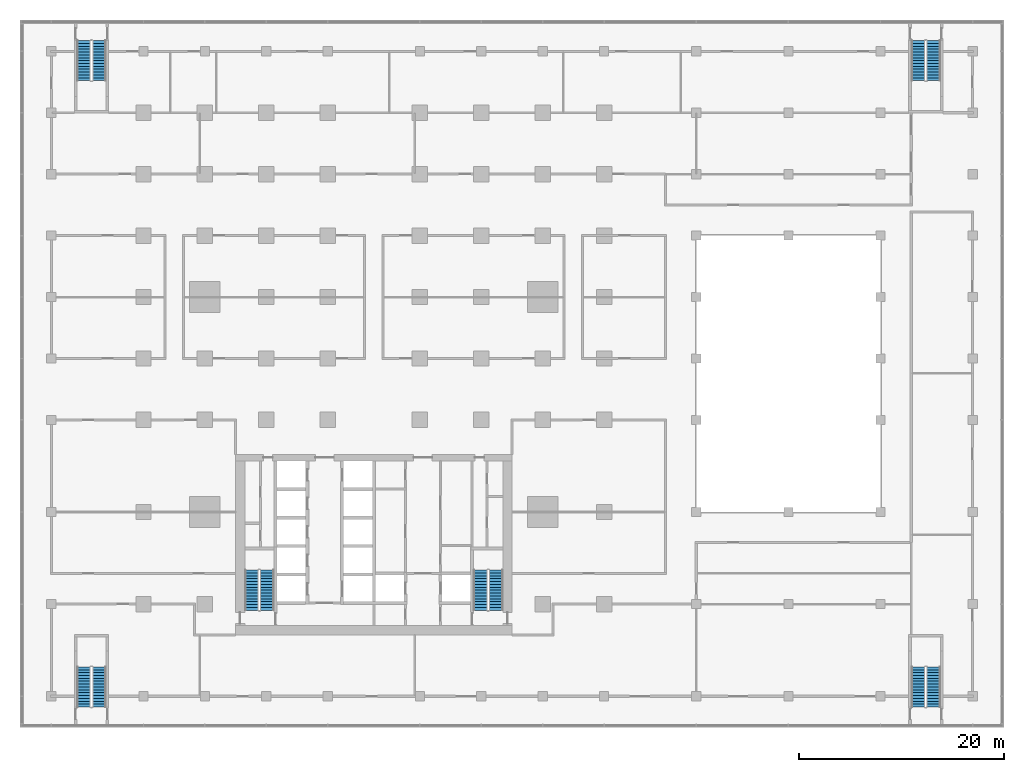
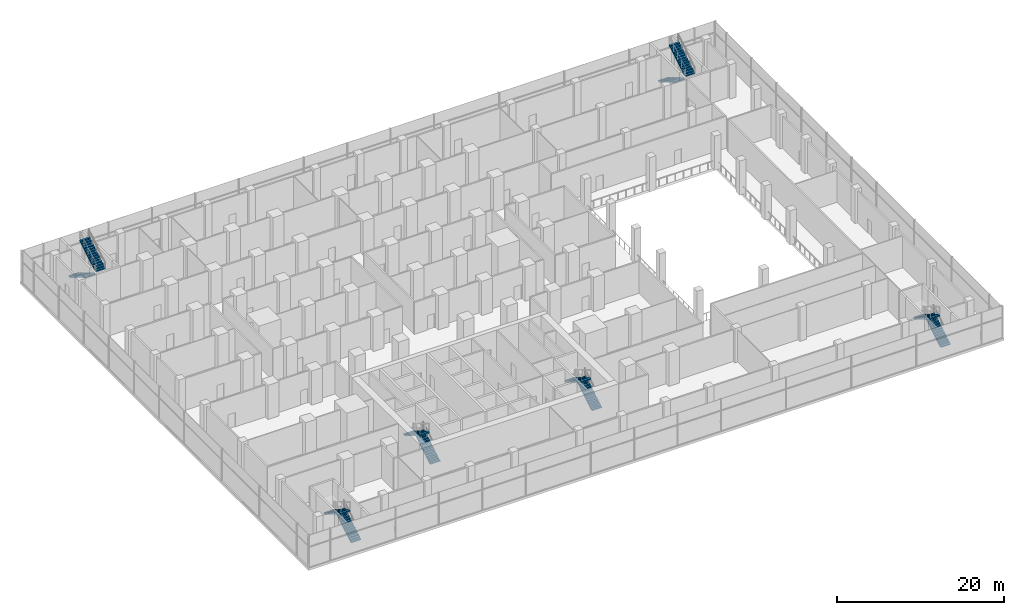
# One storey, part 20 of 22: 12 stair flights, 6 elements without a shape of their own.
"""IFC4 building model written with IfcOpenShell, lengths in metres."""

from ifc_helpers import new_model, si_unit, direction, frame, origin, place, context, subcontext, project, spatial, polyline, outline, extrude, material, type_object, element, aggregate, save


model = new_model("IFC4")

# Units and contexts
model_context = context("Model", 3, precision=1e-05, world=origin(), true_north=direction((0.0, 1.0)))
body_context = subcontext(model_context, "Body", "Model", "MODEL_VIEW")
ifc_project = project(units=[si_unit("LENGTHUNIT", "METRE"), si_unit("AREAUNIT", "SQUARE_METRE"), si_unit("VOLUMEUNIT", "CUBIC_METRE"), si_unit("PLANEANGLEUNIT", "RADIAN"), si_unit("MASSUNIT", "GRAM", prefix="KILO")], contexts=[model_context])

# Site, building, storey
site_placement = place(None, origin())
site = spatial("IfcSite", under=ifc_project, at=site_placement, CompositionType="ELEMENT")
building_placement = place(site_placement, origin())
building = spatial("IfcBuilding", under=site, at=building_placement, Name="Finial Court Residences", CompositionType="ELEMENT")
storey_placement = place(building_placement, frame((0.0, 0.0, 18.5)))
storey = spatial("IfcBuildingStorey", under=building, at=storey_placement, Name="L03", CompositionType="ELEMENT", Elevation=18.5)

# Stair, stair flights
ifc_material = material(Name="Concrete C50/60", Category="concrete")
stair_type = type_object("IfcStairType", Name="Exit stair 30 risers of 166.7 mm", PredefinedType="HALF_TURN_STAIR", material=ifc_material)
stair_1_placement = place(storey_placement, origin())
stair_1 = element("IfcStair", 1, at=stair_1_placement, inside=storey, type_object=stair_type, Name="L03 Exit stair ST-1", PredefinedType="HALF_TURN_STAIR")
stair_flight_type = type_object("IfcStairFlightType", Name="Exit stair flight", PredefinedType="STRAIGHT", material=ifc_material)
stair_flight_1_placement = place(storey_placement, frame((-10.425048828125, -23.10009765625, 0.0), z_axis=(0.0, 0.0, 1.0), x_axis=(0.0, 1.0, 0.0)))
stair_flight_1 = element("IfcStairFlight", 2, at=stair_flight_1_placement, type_object=stair_flight_type, Name="ST-1 flight 1", NumberOfRisers=15, NumberOfTreads=14, PredefinedType="STRAIGHT", RiserHeight=0.166666667, TreadLength=0.28, context=body_context, shape_type="SweptSolid", body=[
    extrude(outline(polyline([(0.0, 0.0), (0.0, 0.166748046875), (0.280029296875, 0.166748046875), (0.280029296875, 0.333251953125), (0.56005859375, 0.333251953125), (0.56005859375, 0.5), (0.840087890625, 0.5), (0.840087890625, 0.666748046875), (1.1201171875, 0.666748046875), (1.1201171875, 0.833251953125), (1.39990234375, 0.833251953125), (1.39990234375, 1.0), (1.679931640625, 1.0), (1.679931640625, 1.166748046875), (1.9599609375, 1.166748046875), (1.9599609375, 1.333251953125), (2.239990234375, 1.333251953125), (2.239990234375, 1.5), (2.52001953125, 1.5), (2.52001953125, 1.666748046875), (2.800048828125, 1.666748046875), (2.800048828125, 1.833251953125), (3.080078125, 1.833251953125), (3.080078125, 2.0), (3.360107421875, 2.0), (3.360107421875, 2.166748046875), (3.639892578125, 2.166748046875), (3.639892578125, 2.333251953125), (3.919921875, 2.333251953125), (3.919921875, 2.5), (3.919921875, 2.158935546875), (0.29296875, 0.0), (0.0, 0.0)])), frame((0.0, 0.675048828125, 0.0), z_axis=(0.0, -1.0, 0.0), x_axis=(1.0, 0.0, 0.0)), (0.0, 0.0, 1.0), 1.35009765625),
])
stair_flight_2_placement = place(storey_placement, frame((-11.925048828125, -19.179931640625, 2.5), z_axis=(0.0, 0.0, 1.0), x_axis=(0.0, -1.0, 0.0)))
stair_flight_2 = element("IfcStairFlight", 3, at=stair_flight_2_placement, type_object=stair_flight_type, Name="ST-1 flight 2", NumberOfRisers=15, NumberOfTreads=14, PredefinedType="STRAIGHT", RiserHeight=0.166666667, TreadLength=0.28, context=body_context, shape_type="SweptSolid", body=[
    extrude(outline(polyline([(0.0, 0.0), (0.0, 0.166748046875), (0.280029296875, 0.166748046875), (0.280029296875, 0.333251953125), (0.56005859375, 0.333251953125), (0.56005859375, 0.5), (0.840087890625, 0.5), (0.840087890625, 0.666748046875), (1.1201171875, 0.666748046875), (1.1201171875, 0.833251953125), (1.39990234375, 0.833251953125), (1.39990234375, 1.0), (1.679931640625, 1.0), (1.679931640625, 1.166748046875), (1.9599609375, 1.166748046875), (1.9599609375, 1.333251953125), (2.239990234375, 1.333251953125), (2.239990234375, 1.5), (2.52001953125, 1.5), (2.52001953125, 1.666748046875), (2.800048828125, 1.666748046875), (2.800048828125, 1.833251953125), (3.080078125, 1.833251953125), (3.080078125, 2.0), (3.360107421875, 2.0), (3.360107421875, 2.166748046875), (3.639892578125, 2.166748046875), (3.639892578125, 2.333251953125), (3.919921875, 2.333251953125), (3.919921875, 2.5), (3.919921875, 2.158935546875), (0.29296875, 0.0), (0.0, 0.0)])), frame((0.0, 0.675048828125, 0.0), z_axis=(0.0, -1.0, 0.0), x_axis=(1.0, 0.0, 0.0)), (0.0, 0.0, 1.0), 1.35009765625),
])
aggregate(stair_1, [stair_flight_1, stair_flight_2])

stair_2_placement = place(storey_placement, origin())
stair_2 = element("IfcStair", 4, at=stair_2_placement, inside=storey, type_object=stair_type, Name="L03 Exit stair ST-2", PredefinedType="HALF_TURN_STAIR")
stair_flight_3_placement = place(storey_placement, frame((11.925048828125, -23.10009765625, 0.0), z_axis=(0.0, 0.0, 1.0), x_axis=(0.0, 1.0, 0.0)))
stair_flight_3 = element("IfcStairFlight", 5, at=stair_flight_3_placement, type_object=stair_flight_type, Name="ST-2 flight 1", NumberOfRisers=15, NumberOfTreads=14, PredefinedType="STRAIGHT", RiserHeight=0.166666667, TreadLength=0.28, context=body_context, shape_type="SweptSolid", body=[
    extrude(outline(polyline([(0.0, 0.0), (0.0, 0.166748046875), (0.280029296875, 0.166748046875), (0.280029296875, 0.333251953125), (0.56005859375, 0.333251953125), (0.56005859375, 0.5), (0.840087890625, 0.5), (0.840087890625, 0.666748046875), (1.1201171875, 0.666748046875), (1.1201171875, 0.833251953125), (1.39990234375, 0.833251953125), (1.39990234375, 1.0), (1.679931640625, 1.0), (1.679931640625, 1.166748046875), (1.9599609375, 1.166748046875), (1.9599609375, 1.333251953125), (2.239990234375, 1.333251953125), (2.239990234375, 1.5), (2.52001953125, 1.5), (2.52001953125, 1.666748046875), (2.800048828125, 1.666748046875), (2.800048828125, 1.833251953125), (3.080078125, 1.833251953125), (3.080078125, 2.0), (3.360107421875, 2.0), (3.360107421875, 2.166748046875), (3.639892578125, 2.166748046875), (3.639892578125, 2.333251953125), (3.919921875, 2.333251953125), (3.919921875, 2.5), (3.919921875, 2.158935546875), (0.29296875, 0.0), (0.0, 0.0)])), frame((0.0, 0.675048828125, 0.0), z_axis=(0.0, -1.0, 0.0), x_axis=(1.0, 0.0, 0.0)), (0.0, 0.0, 1.0), 1.35009765625),
])
stair_flight_4_placement = place(storey_placement, frame((10.425048828125, -19.179931640625, 2.5), z_axis=(0.0, 0.0, 1.0), x_axis=(0.0, -1.0, 0.0)))
stair_flight_4 = element("IfcStairFlight", 6, at=stair_flight_4_placement, type_object=stair_flight_type, Name="ST-2 flight 2", NumberOfRisers=15, NumberOfTreads=14, PredefinedType="STRAIGHT", RiserHeight=0.166666667, TreadLength=0.28, context=body_context, shape_type="SweptSolid", body=[
    extrude(outline(polyline([(0.0, 0.0), (0.0, 0.166748046875), (0.280029296875, 0.166748046875), (0.280029296875, 0.333251953125), (0.56005859375, 0.333251953125), (0.56005859375, 0.5), (0.840087890625, 0.5), (0.840087890625, 0.666748046875), (1.1201171875, 0.666748046875), (1.1201171875, 0.833251953125), (1.39990234375, 0.833251953125), (1.39990234375, 1.0), (1.679931640625, 1.0), (1.679931640625, 1.166748046875), (1.9599609375, 1.166748046875), (1.9599609375, 1.333251953125), (2.239990234375, 1.333251953125), (2.239990234375, 1.5), (2.52001953125, 1.5), (2.52001953125, 1.666748046875), (2.800048828125, 1.666748046875), (2.800048828125, 1.833251953125), (3.080078125, 1.833251953125), (3.080078125, 2.0), (3.360107421875, 2.0), (3.360107421875, 2.166748046875), (3.639892578125, 2.166748046875), (3.639892578125, 2.333251953125), (3.919921875, 2.333251953125), (3.919921875, 2.5), (3.919921875, 2.158935546875), (0.29296875, 0.0), (0.0, 0.0)])), frame((0.0, 0.675048828125, 0.0), z_axis=(0.0, -1.0, 0.0), x_axis=(1.0, 0.0, 0.0)), (0.0, 0.0, 1.0), 1.35009765625),
])
aggregate(stair_2, [stair_flight_3, stair_flight_4])

stair_3_placement = place(storey_placement, origin())
stair_3 = element("IfcStair", 7, at=stair_3_placement, inside=storey, type_object=stair_type, Name="L03 Exit Stair 3", PredefinedType="HALF_TURN_STAIR")
stair_flight_5_placement = place(storey_placement, frame((54.675048828125, -32.550048828125, 0.0), z_axis=(0.0, 0.0, 1.0), x_axis=(0.0, 1.0, 0.0)))
stair_flight_5 = element("IfcStairFlight", 8, at=stair_flight_5_placement, type_object=stair_flight_type, Name="ST-3 flight 1", NumberOfRisers=15, NumberOfTreads=14, PredefinedType="STRAIGHT", RiserHeight=0.166666667, TreadLength=0.28, context=body_context, shape_type="SweptSolid", body=[
    extrude(outline(polyline([(0.0, 0.0), (0.0, 0.166748046875), (0.280029296875, 0.166748046875), (0.280029296875, 0.333251953125), (0.56005859375, 0.333251953125), (0.56005859375, 0.5), (0.840087890625, 0.5), (0.840087890625, 0.666748046875), (1.1201171875, 0.666748046875), (1.1201171875, 0.833251953125), (1.39990234375, 0.833251953125), (1.39990234375, 1.0), (1.679931640625, 1.0), (1.679931640625, 1.166748046875), (1.9599609375, 1.166748046875), (1.9599609375, 1.333251953125), (2.239990234375, 1.333251953125), (2.239990234375, 1.5), (2.52001953125, 1.5), (2.52001953125, 1.666748046875), (2.800048828125, 1.666748046875), (2.800048828125, 1.833251953125), (3.080078125, 1.833251953125), (3.080078125, 2.0), (3.360107421875, 2.0), (3.360107421875, 2.166748046875), (3.639892578125, 2.166748046875), (3.639892578125, 2.333251953125), (3.919921875, 2.333251953125), (3.919921875, 2.5), (3.919921875, 2.158935546875), (0.29296875, 0.0), (0.0, 0.0)])), frame((0.0, 0.675048828125, 0.0), z_axis=(0.0, -1.0, 0.0), x_axis=(1.0, 0.0, 0.0)), (0.0, 0.0, 1.0), 1.35009765625),
])
stair_flight_6_placement = place(storey_placement, frame((53.175048828125, -28.6298828125, 2.5), z_axis=(0.0, 0.0, 1.0), x_axis=(0.0, -1.0, 0.0)))
stair_flight_6 = element("IfcStairFlight", 9, at=stair_flight_6_placement, type_object=stair_flight_type, Name="ST-3 flight 2", NumberOfRisers=15, NumberOfTreads=14, PredefinedType="STRAIGHT", RiserHeight=0.166666667, TreadLength=0.28, context=body_context, shape_type="SweptSolid", body=[
    extrude(outline(polyline([(0.0, 0.0), (0.0, 0.166748046875), (0.280029296875, 0.166748046875), (0.280029296875, 0.333251953125), (0.56005859375, 0.333251953125), (0.56005859375, 0.5), (0.840087890625, 0.5), (0.840087890625, 0.666748046875), (1.1201171875, 0.666748046875), (1.1201171875, 0.833251953125), (1.39990234375, 0.833251953125), (1.39990234375, 1.0), (1.679931640625, 1.0), (1.679931640625, 1.166748046875), (1.9599609375, 1.166748046875), (1.9599609375, 1.333251953125), (2.239990234375, 1.333251953125), (2.239990234375, 1.5), (2.52001953125, 1.5), (2.52001953125, 1.666748046875), (2.800048828125, 1.666748046875), (2.800048828125, 1.833251953125), (3.080078125, 1.833251953125), (3.080078125, 2.0), (3.360107421875, 2.0), (3.360107421875, 2.166748046875), (3.639892578125, 2.166748046875), (3.639892578125, 2.333251953125), (3.919921875, 2.333251953125), (3.919921875, 2.5), (3.919921875, 2.158935546875), (0.29296875, 0.0), (0.0, 0.0)])), frame((0.0, 0.675048828125, 0.0), z_axis=(0.0, -1.0, 0.0), x_axis=(1.0, 0.0, 0.0)), (0.0, 0.0, 1.0), 1.35009765625),
])
aggregate(stair_3, [stair_flight_5, stair_flight_6])

stair_4_placement = place(storey_placement, origin())
stair_4 = element("IfcStair", 10, at=stair_4_placement, inside=storey, type_object=stair_type, Name="L03 Exit Stair 4", PredefinedType="HALF_TURN_STAIR")
stair_flight_7_placement = place(storey_placement, frame((-26.824951171875, -32.550048828125, 0.0), z_axis=(0.0, 0.0, 1.0), x_axis=(0.0, 1.0, 0.0)))
stair_flight_7 = element("IfcStairFlight", 11, at=stair_flight_7_placement, type_object=stair_flight_type, Name="ST-4 flight 1", NumberOfRisers=15, NumberOfTreads=14, PredefinedType="STRAIGHT", RiserHeight=0.166666667, TreadLength=0.28, context=body_context, shape_type="SweptSolid", body=[
    extrude(outline(polyline([(0.0, 0.0), (0.0, 0.166748046875), (0.280029296875, 0.166748046875), (0.280029296875, 0.333251953125), (0.56005859375, 0.333251953125), (0.56005859375, 0.5), (0.840087890625, 0.5), (0.840087890625, 0.666748046875), (1.1201171875, 0.666748046875), (1.1201171875, 0.833251953125), (1.39990234375, 0.833251953125), (1.39990234375, 1.0), (1.679931640625, 1.0), (1.679931640625, 1.166748046875), (1.9599609375, 1.166748046875), (1.9599609375, 1.333251953125), (2.239990234375, 1.333251953125), (2.239990234375, 1.5), (2.52001953125, 1.5), (2.52001953125, 1.666748046875), (2.800048828125, 1.666748046875), (2.800048828125, 1.833251953125), (3.080078125, 1.833251953125), (3.080078125, 2.0), (3.360107421875, 2.0), (3.360107421875, 2.166748046875), (3.639892578125, 2.166748046875), (3.639892578125, 2.333251953125), (3.919921875, 2.333251953125), (3.919921875, 2.5), (3.919921875, 2.158935546875), (0.29296875, 0.0), (0.0, 0.0)])), frame((0.0, 0.675048828125, 0.0), z_axis=(0.0, -1.0, 0.0), x_axis=(1.0, 0.0, 0.0)), (0.0, 0.0, 1.0), 1.35009765625),
])
stair_flight_8_placement = place(storey_placement, frame((-28.324951171875, -28.6298828125, 2.5), z_axis=(0.0, 0.0, 1.0), x_axis=(0.0, -1.0, 0.0)))
stair_flight_8 = element("IfcStairFlight", 12, at=stair_flight_8_placement, type_object=stair_flight_type, Name="ST-4 flight 2", NumberOfRisers=15, NumberOfTreads=14, PredefinedType="STRAIGHT", RiserHeight=0.166666667, TreadLength=0.28, context=body_context, shape_type="SweptSolid", body=[
    extrude(outline(polyline([(0.0, 0.0), (0.0, 0.166748046875), (0.280029296875, 0.166748046875), (0.280029296875, 0.333251953125), (0.56005859375, 0.333251953125), (0.56005859375, 0.5), (0.840087890625, 0.5), (0.840087890625, 0.666748046875), (1.1201171875, 0.666748046875), (1.1201171875, 0.833251953125), (1.39990234375, 0.833251953125), (1.39990234375, 1.0), (1.679931640625, 1.0), (1.679931640625, 1.166748046875), (1.9599609375, 1.166748046875), (1.9599609375, 1.333251953125), (2.239990234375, 1.333251953125), (2.239990234375, 1.5), (2.52001953125, 1.5), (2.52001953125, 1.666748046875), (2.800048828125, 1.666748046875), (2.800048828125, 1.833251953125), (3.080078125, 1.833251953125), (3.080078125, 2.0), (3.360107421875, 2.0), (3.360107421875, 2.166748046875), (3.639892578125, 2.166748046875), (3.639892578125, 2.333251953125), (3.919921875, 2.333251953125), (3.919921875, 2.5), (3.919921875, 2.158935546875), (0.29296875, 0.0), (0.0, 0.0)])), frame((0.0, 0.675048828125, 0.0), z_axis=(0.0, -1.0, 0.0), x_axis=(1.0, 0.0, 0.0)), (0.0, 0.0, 1.0), 1.35009765625),
])
aggregate(stair_4, [stair_flight_7, stair_flight_8])

stair_5_placement = place(storey_placement, origin())
stair_5 = element("IfcStair", 13, at=stair_5_placement, inside=storey, type_object=stair_type, Name="L03 Exit Stair 5", PredefinedType="HALF_TURN_STAIR")
stair_flight_9_placement = place(storey_placement, frame((53.175048828125, 32.550048828125, 0.0), z_axis=(0.0, 0.0, 1.0), x_axis=(0.0, -1.0, 0.0)))
stair_flight_9 = element("IfcStairFlight", 14, at=stair_flight_9_placement, type_object=stair_flight_type, Name="ST-5 flight 1", NumberOfRisers=15, NumberOfTreads=14, PredefinedType="STRAIGHT", RiserHeight=0.166666667, TreadLength=0.28, context=body_context, shape_type="SweptSolid", body=[
    extrude(outline(polyline([(0.0, 0.0), (0.0, 0.166748046875), (0.280029296875, 0.166748046875), (0.280029296875, 0.333251953125), (0.56005859375, 0.333251953125), (0.56005859375, 0.5), (0.840087890625, 0.5), (0.840087890625, 0.666748046875), (1.1201171875, 0.666748046875), (1.1201171875, 0.833251953125), (1.39990234375, 0.833251953125), (1.39990234375, 1.0), (1.679931640625, 1.0), (1.679931640625, 1.166748046875), (1.9599609375, 1.166748046875), (1.9599609375, 1.333251953125), (2.239990234375, 1.333251953125), (2.239990234375, 1.5), (2.52001953125, 1.5), (2.52001953125, 1.666748046875), (2.800048828125, 1.666748046875), (2.800048828125, 1.833251953125), (3.080078125, 1.833251953125), (3.080078125, 2.0), (3.360107421875, 2.0), (3.360107421875, 2.166748046875), (3.639892578125, 2.166748046875), (3.639892578125, 2.333251953125), (3.919921875, 2.333251953125), (3.919921875, 2.5), (3.919921875, 2.158935546875), (0.29296875, 0.0), (0.0, 0.0)])), frame((0.0, 0.675048828125, 0.0), z_axis=(0.0, -1.0, 0.0), x_axis=(1.0, 0.0, 0.0)), (0.0, 0.0, 1.0), 1.35009765625),
])
stair_flight_10_placement = place(storey_placement, frame((54.675048828125, 28.6298828125, 2.5), z_axis=(0.0, 0.0, 1.0), x_axis=(0.0, 1.0, 0.0)))
stair_flight_10 = element("IfcStairFlight", 15, at=stair_flight_10_placement, type_object=stair_flight_type, Name="ST-5 flight 2", NumberOfRisers=15, NumberOfTreads=14, PredefinedType="STRAIGHT", RiserHeight=0.166666667, TreadLength=0.28, context=body_context, shape_type="SweptSolid", body=[
    extrude(outline(polyline([(0.0, 0.0), (0.0, 0.166748046875), (0.280029296875, 0.166748046875), (0.280029296875, 0.333251953125), (0.56005859375, 0.333251953125), (0.56005859375, 0.5), (0.840087890625, 0.5), (0.840087890625, 0.666748046875), (1.1201171875, 0.666748046875), (1.1201171875, 0.833251953125), (1.39990234375, 0.833251953125), (1.39990234375, 1.0), (1.679931640625, 1.0), (1.679931640625, 1.166748046875), (1.9599609375, 1.166748046875), (1.9599609375, 1.333251953125), (2.239990234375, 1.333251953125), (2.239990234375, 1.5), (2.52001953125, 1.5), (2.52001953125, 1.666748046875), (2.800048828125, 1.666748046875), (2.800048828125, 1.833251953125), (3.080078125, 1.833251953125), (3.080078125, 2.0), (3.360107421875, 2.0), (3.360107421875, 2.166748046875), (3.639892578125, 2.166748046875), (3.639892578125, 2.333251953125), (3.919921875, 2.333251953125), (3.919921875, 2.5), (3.919921875, 2.158935546875), (0.29296875, 0.0), (0.0, 0.0)])), frame((0.0, 0.675048828125, 0.0), z_axis=(0.0, -1.0, 0.0), x_axis=(1.0, 0.0, 0.0)), (0.0, 0.0, 1.0), 1.35009765625),
])
aggregate(stair_5, [stair_flight_9, stair_flight_10])

stair_6_placement = place(storey_placement, origin())
stair_6 = element("IfcStair", 16, at=stair_6_placement, inside=storey, type_object=stair_type, Name="L03 Exit Stair 6", PredefinedType="HALF_TURN_STAIR")
stair_flight_11_placement = place(storey_placement, frame((-28.324951171875, 32.550048828125, 0.0), z_axis=(0.0, 0.0, 1.0), x_axis=(0.0, -1.0, 0.0)))
stair_flight_11 = element("IfcStairFlight", 17, at=stair_flight_11_placement, type_object=stair_flight_type, Name="ST-6 flight 1", NumberOfRisers=15, NumberOfTreads=14, PredefinedType="STRAIGHT", RiserHeight=0.166666667, TreadLength=0.28, context=body_context, shape_type="SweptSolid", body=[
    extrude(outline(polyline([(0.0, 0.0), (0.0, 0.166748046875), (0.280029296875, 0.166748046875), (0.280029296875, 0.333251953125), (0.56005859375, 0.333251953125), (0.56005859375, 0.5), (0.840087890625, 0.5), (0.840087890625, 0.666748046875), (1.1201171875, 0.666748046875), (1.1201171875, 0.833251953125), (1.39990234375, 0.833251953125), (1.39990234375, 1.0), (1.679931640625, 1.0), (1.679931640625, 1.166748046875), (1.9599609375, 1.166748046875), (1.9599609375, 1.333251953125), (2.239990234375, 1.333251953125), (2.239990234375, 1.5), (2.52001953125, 1.5), (2.52001953125, 1.666748046875), (2.800048828125, 1.666748046875), (2.800048828125, 1.833251953125), (3.080078125, 1.833251953125), (3.080078125, 2.0), (3.360107421875, 2.0), (3.360107421875, 2.166748046875), (3.639892578125, 2.166748046875), (3.639892578125, 2.333251953125), (3.919921875, 2.333251953125), (3.919921875, 2.5), (3.919921875, 2.158935546875), (0.29296875, 0.0), (0.0, 0.0)])), frame((0.0, 0.675048828125, 0.0), z_axis=(0.0, -1.0, 0.0), x_axis=(1.0, 0.0, 0.0)), (0.0, 0.0, 1.0), 1.35009765625),
])
stair_flight_12_placement = place(storey_placement, frame((-26.824951171875, 28.6298828125, 2.5), z_axis=(0.0, 0.0, 1.0), x_axis=(0.0, 1.0, 0.0)))
stair_flight_12 = element("IfcStairFlight", 18, at=stair_flight_12_placement, type_object=stair_flight_type, Name="ST-6 flight 2", NumberOfRisers=15, NumberOfTreads=14, PredefinedType="STRAIGHT", RiserHeight=0.166666667, TreadLength=0.28, context=body_context, shape_type="SweptSolid", body=[
    extrude(outline(polyline([(0.0, 0.0), (0.0, 0.166748046875), (0.280029296875, 0.166748046875), (0.280029296875, 0.333251953125), (0.56005859375, 0.333251953125), (0.56005859375, 0.5), (0.840087890625, 0.5), (0.840087890625, 0.666748046875), (1.1201171875, 0.666748046875), (1.1201171875, 0.833251953125), (1.39990234375, 0.833251953125), (1.39990234375, 1.0), (1.679931640625, 1.0), (1.679931640625, 1.166748046875), (1.9599609375, 1.166748046875), (1.9599609375, 1.333251953125), (2.239990234375, 1.333251953125), (2.239990234375, 1.5), (2.52001953125, 1.5), (2.52001953125, 1.666748046875), (2.800048828125, 1.666748046875), (2.800048828125, 1.833251953125), (3.080078125, 1.833251953125), (3.080078125, 2.0), (3.360107421875, 2.0), (3.360107421875, 2.166748046875), (3.639892578125, 2.166748046875), (3.639892578125, 2.333251953125), (3.919921875, 2.333251953125), (3.919921875, 2.5), (3.919921875, 2.158935546875), (0.29296875, 0.0), (0.0, 0.0)])), frame((0.0, 0.675048828125, 0.0), z_axis=(0.0, -1.0, 0.0), x_axis=(1.0, 0.0, 0.0)), (0.0, 0.0, 1.0), 1.35009765625),
])
aggregate(stair_6, [stair_flight_11, stair_flight_12])

save(model, "model.ifc")
